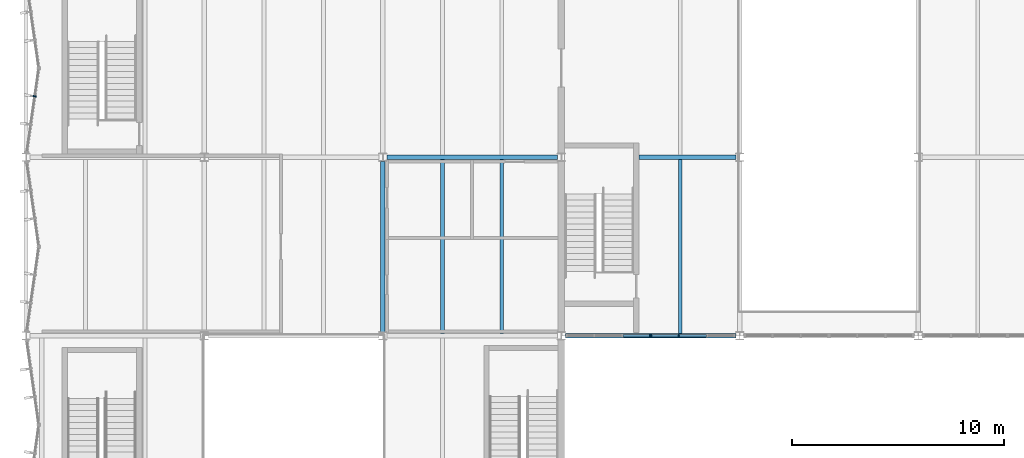
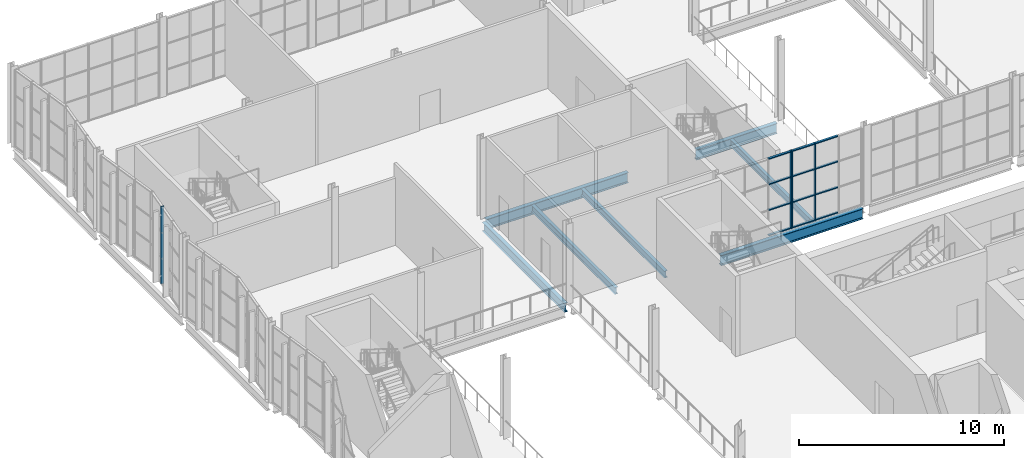
# One storey, part 37 of 127: 16 members, 7 beams, 3 elements without a shape of their own.
"""IFC4 building model written with IfcOpenShell, lengths in metres."""

from ifc_helpers import new_model, si_unit, direction, frame, origin, origin_2d, place, context, subcontext, project, spatial, rectangle, i_section, extrude, material, material_profile, profile_set, type_object, element, aggregate, save


model = new_model("IFC4")

# Units and contexts
model_context = context("Model", 3, precision=1e-05, world=origin(), true_north=direction((0.0, 1.0)))
body_context = subcontext(model_context, "Body", "Model", "MODEL_VIEW")
ifc_project = project(units=[si_unit("LENGTHUNIT", "METRE"), si_unit("AREAUNIT", "SQUARE_METRE"), si_unit("VOLUMEUNIT", "CUBIC_METRE"), si_unit("PLANEANGLEUNIT", "RADIAN"), si_unit("MASSUNIT", "GRAM", prefix="KILO")], contexts=[model_context])

# Site, building, storey
site_placement = place(None, origin())
site = spatial("IfcSite", under=ifc_project, at=site_placement, CompositionType="ELEMENT")
building_placement = place(site_placement, origin())
building = spatial("IfcBuilding", under=site, at=building_placement, Name="Ljudholm Concert House", CompositionType="ELEMENT")
storey_placement = place(building_placement, frame((0.0, 0.0, 5.39990234375)))
storey = spatial("IfcBuildingStorey", under=building, at=storey_placement, Name="L01", CompositionType="ELEMENT", Elevation=5.39990234375)

# Curtain wall, member
ifc_material_1 = material(Name="Aluminium curtain wall with impact-rated laminated glass", Category="aluminium")
curtain_wall_type = type_object("IfcCurtainWallType", Name="CURTAIN WALL 1400", PredefinedType="NOTDEFINED", material=ifc_material_1)
curtain_wall_1_placement = place(storey_placement, origin())
curtain_wall_1 = element("IfcCurtainWall", 1, at=curtain_wall_1_placement, inside=storey, type_object=curtain_wall_type, Name="Facade curtain wall", PredefinedType="NOTDEFINED")
ifc_material_2 = material(Name="Aluminium extrusion", Category="aluminium")
ifc_material_profile_1 = material_profile(ifc_material_2, rectangle(XDim=0.159912109375, YDim=0.06005859375, at=origin_2d()), Name="MULLION 60x160")
ifc_profile_set_1 = profile_set([ifc_material_profile_1], Name="Aluminium extrusion")
member_type_1 = type_object("IfcMemberType", Name="MULLION 60x160", PredefinedType="MULLION", material=ifc_profile_set_1)
member_1_placement = place(storey_placement, frame((4.410400390625, 116.072509765625, 0.0), z_axis=(0.0, 0.0, 1.0), x_axis=(-0.989949493647, 0.141421356338, 0.0)))
member_1 = element("IfcMember", 2, at=member_1_placement, type_object=member_type_1, Name="Mullion", PredefinedType="MULLION", context=body_context, shape_type="SweptSolid", body=[
    extrude(rectangle(XDim=0.159912109375, YDim=0.06005859375, at=origin_2d()), origin(), (0.0, 0.0, 1.0), 4.6201171875),
])
aggregate(curtain_wall_1, [member_1])

curtain_wall_2_placement = place(storey_placement, origin())
curtain_wall_2 = element("IfcCurtainWall", 3, at=curtain_wall_2_placement, inside=storey, type_object=curtain_wall_type, Name="Winter garden curtain wall", PredefinedType="NOTDEFINED")
member_2_placement = place(storey_placement, frame((33.3701171875, 104.800048828125, 0.0), z_axis=(0.0, 0.0, 1.0), x_axis=(0.0, 1.0, 0.0)))
member_2 = element("IfcMember", 4, at=member_2_placement, type_object=member_type_1, Name="Mullion", PredefinedType="MULLION", context=body_context, shape_type="SweptSolid", body=[
    extrude(rectangle(XDim=0.159912109375, YDim=0.06005859375, at=origin_2d()), origin(), (0.0, 0.0, 1.0), 4.6201171875),
])

# Curtain wall, members
curtain_wall_3_placement = place(storey_placement, origin())
curtain_wall_3 = element("IfcCurtainWall", 5, at=curtain_wall_3_placement, inside=storey, type_object=curtain_wall_type, Name="Winter garden curtain wall", PredefinedType="NOTDEFINED")
member_3_placement = place(storey_placement, frame((33.429931640625, 104.800048828125, 0.0), z_axis=(0.0, 0.0, 1.0), x_axis=(0.0, 1.0, 0.0)))
member_3 = element("IfcMember", 6, at=member_3_placement, type_object=member_type_1, Name="Mullion", PredefinedType="MULLION", context=body_context, shape_type="SweptSolid", body=[
    extrude(rectangle(XDim=0.159912109375, YDim=0.06005859375, at=origin_2d()), origin(), (0.0, 0.0, 1.0), 4.6201171875),
])
member_4_placement = place(storey_placement, frame((34.7265625, 104.800048828125, 0.0), z_axis=(0.0, 0.0, 1.0), x_axis=(0.0, 1.0, 0.0)))
member_4 = element("IfcMember", 7, at=member_4_placement, type_object=member_type_1, Name="Mullion", PredefinedType="MULLION", context=body_context, shape_type="SweptSolid", body=[
    extrude(rectangle(XDim=0.159912109375, YDim=0.06005859375, at=origin_2d()), origin(), (0.0, 0.0, 1.0), 4.6201171875),
])

# Beams
ifc_material_3 = material(Name="Steel ASTM A992", Category="steel")
ifc_material_profile_2 = material_profile(ifc_material_3, i_section(OverallWidth=0.177734375, OverallDepth=0.406494140625, WebThickness=0.0078125, FlangeThickness=0.012939453125, FilletRadius=0.01025390625, at=origin_2d()), Name="W16X40")
ifc_profile_set_2 = profile_set([ifc_material_profile_2], Name="Steel ASTM A992")
beam_type_1 = type_object("IfcBeamType", Name="STEEL BEAM W16X40", PredefinedType="BEAM", material=ifc_profile_set_2)
for number, where, z_axis, x_axis, name in (
    (8, (23.60009765625, 104.91455078125, -0.383056640625), (0.0, 1.0, 0.0), (-1.0, 0.0, 0.0), "Secondary beam"),
    (9, (26.39990234375, 104.91455078125, -0.383056640625), (0.0, 1.0, 0.0), (-1.0, 0.0, 0.0), "Secondary beam"),
    (10, (34.800048828125, 104.91455078125, -0.383056640625), (0.0, 1.0, 0.0), (-1.0, 0.0, 0.0), "Secondary beam"),
):
    element("IfcBeam", number, at=place(storey_placement, frame(where, z_axis=z_axis, x_axis=x_axis)), inside=storey, type_object=beam_type_1, Name=name, PredefinedType="BEAM", context=body_context, shape_type="SweptSolid", body=[
        extrude(i_section(OverallWidth=0.177734375, OverallDepth=0.406494140625, WebThickness=0.0078125, FlangeThickness=0.012939453125, FilletRadius=0.01025390625, at=origin_2d()), origin(), (0.0, 0.0, 1.0), 8.1708984375),
    ])
ifc_material_4 = material(Name="Steel ASTM A992", Category="steel")
ifc_material_profile_3 = material_profile(ifc_material_4, i_section(OverallWidth=0.209228515625, OverallDepth=0.533447265625, WebThickness=0.01025390625, FlangeThickness=0.015625, FilletRadius=0.012939453125, at=origin_2d()), Name="W21X62")
ifc_profile_set_3 = profile_set([ifc_material_profile_3], Name="Steel ASTM A992")
beam_type_2 = type_object("IfcBeamType", Name="STEEL BEAM W21X62", PredefinedType="BEAM", material=ifc_profile_set_3)
beam_1_placement = place(storey_placement, frame((20.800048828125, 104.986572265625, -0.446533203125), z_axis=(0.0, 1.0, 0.0), x_axis=(-1.0, 0.0, 0.0)))
element("IfcBeam", 11, at=beam_1_placement, inside=storey, type_object=beam_type_2, Name="Floor edge beam", PredefinedType="BEAM", context=body_context, shape_type="SweptSolid", body=[
    extrude(i_section(OverallWidth=0.209228515625, OverallDepth=0.533447265625, WebThickness=0.01025390625, FlangeThickness=0.015625, FilletRadius=0.012939453125, at=origin_2d()), origin(), (0.0, 0.0, 1.0), 8.02685546875),
])
ifc_material_5 = material(Name="Steel ASTM A992", Category="steel")
ifc_material_profile_4 = material_profile(ifc_material_5, i_section(OverallWidth=0.22900390625, OverallDepth=0.612060546875, WebThickness=0.011962890625, FlangeThickness=0.01953125, FilletRadius=0.0126953125, at=origin_2d()), Name="W24X84")
ifc_profile_set_4 = profile_set([ifc_material_profile_4], Name="Steel ASTM A992")
beam_type_3 = type_object("IfcBeamType", Name="STEEL BEAM W24X84", PredefinedType="BEAM", material=ifc_profile_set_4)
beam_2_placement = place(storey_placement, frame((20.986572265625, 113.199951171875, -0.486083984375), z_axis=(1.0, 0.0, 0.0), x_axis=(0.0, 1.0, 0.0)))
element("IfcBeam", 12, at=beam_2_placement, inside=storey, type_object=beam_type_3, Name="Floor girder", PredefinedType="BEAM", context=body_context, shape_type="SweptSolid", body=[
    extrude(i_section(OverallWidth=0.22900390625, OverallDepth=0.612060546875, WebThickness=0.011962890625, FlangeThickness=0.01953125, FilletRadius=0.0126953125, at=origin_2d()), origin(), (0.0, 0.0, 1.0), 8.02685546875),
])
beam_3_placement = place(storey_placement, frame((29.38671875, 104.800048828125, -0.486083984375), z_axis=(1.0, 0.0, 0.0), x_axis=(0.0, 1.0, 0.0)))
element("IfcBeam", 13, at=beam_3_placement, inside=storey, type_object=beam_type_3, Name="Floor girder", PredefinedType="BEAM", context=body_context, shape_type="SweptSolid", body=[
    extrude(i_section(OverallWidth=0.22900390625, OverallDepth=0.612060546875, WebThickness=0.011962890625, FlangeThickness=0.01953125, FilletRadius=0.0126953125, at=origin_2d()), origin(), (0.0, 0.0, 1.0), 8.026611328125),
])
beam_4_placement = place(storey_placement, frame((32.85009765625, 113.199951171875, -0.486083984375), z_axis=(1.0, 0.0, 0.0), x_axis=(0.0, 1.0, 0.0)))
element("IfcBeam", 14, at=beam_4_placement, inside=storey, type_object=beam_type_3, Name="Floor girder", PredefinedType="BEAM", context=body_context, shape_type="SweptSolid", body=[
    extrude(i_section(OverallWidth=0.22900390625, OverallDepth=0.612060546875, WebThickness=0.011962890625, FlangeThickness=0.01953125, FilletRadius=0.0126953125, at=origin_2d()), origin(), (0.0, 0.0, 1.0), 4.563232421875),
])

# Member
ifc_material_6 = material(Name="Aluminium extrusion", Category="aluminium")
ifc_material_profile_5 = material_profile(ifc_material_6, rectangle(XDim=0.1201171875, YDim=0.06005859375, at=origin_2d()), Name="TRANSOM 60x120")
ifc_profile_set_5 = profile_set([ifc_material_profile_5], Name="Aluminium extrusion")
member_type_2 = type_object("IfcMemberType", Name="TRANSOM 60x120", PredefinedType="USERDEFINED", material=ifc_profile_set_5)
member_5_placement = place(storey_placement, frame((32.103271484375, 104.800048828125, 0.030029296875), z_axis=(1.0, 0.0, 0.0), x_axis=(0.0, 1.0, 0.0)))
member_5 = element("IfcMember", 15, at=member_5_placement, type_object=member_type_2, Name="Transom", ObjectType="TRANSOM", PredefinedType="USERDEFINED", context=body_context, shape_type="SweptSolid", body=[
    extrude(rectangle(XDim=0.1201171875, YDim=0.06005859375, at=origin_2d()), origin(), (0.0, 0.0, 1.0), 1.23681640625),
])

member_6_placement = place(storey_placement, frame((32.103271484375, 104.800048828125, 1.5400390625), z_axis=(1.0, 0.0, 0.0), x_axis=(0.0, 1.0, 0.0)))
member_6 = element("IfcMember", 16, at=member_6_placement, type_object=member_type_2, Name="Transom", ObjectType="TRANSOM", PredefinedType="USERDEFINED", context=body_context, shape_type="SweptSolid", body=[
    extrude(rectangle(XDim=0.1201171875, YDim=0.06005859375, at=origin_2d()), origin(), (0.0, 0.0, 1.0), 1.23681640625),
])

member_7_placement = place(storey_placement, frame((32.103271484375, 104.800048828125, 3.080078125), z_axis=(1.0, 0.0, 0.0), x_axis=(0.0, 1.0, 0.0)))
member_7 = element("IfcMember", 17, at=member_7_placement, type_object=member_type_2, Name="Transom", ObjectType="TRANSOM", PredefinedType="USERDEFINED", context=body_context, shape_type="SweptSolid", body=[
    extrude(rectangle(XDim=0.1201171875, YDim=0.06005859375, at=origin_2d()), origin(), (0.0, 0.0, 1.0), 1.23681640625),
])

member_8_placement = place(storey_placement, frame((32.103271484375, 104.800048828125, 4.590087890625), z_axis=(1.0, 0.0, 0.0), x_axis=(0.0, 1.0, 0.0)))
member_8 = element("IfcMember", 18, at=member_8_placement, type_object=member_type_2, Name="Transom", ObjectType="TRANSOM", PredefinedType="USERDEFINED", context=body_context, shape_type="SweptSolid", body=[
    extrude(rectangle(XDim=0.1201171875, YDim=0.06005859375, at=origin_2d()), origin(), (0.0, 0.0, 1.0), 1.23681640625),
])

aggregate(curtain_wall_2, [member_2, member_5, member_6, member_7, member_8])

member_9_placement = place(storey_placement, frame((33.4599609375, 104.800048828125, 0.030029296875), z_axis=(1.0, 0.0, 0.0), x_axis=(0.0, 1.0, 0.0)))
member_9 = element("IfcMember", 19, at=member_9_placement, type_object=member_type_2, Name="Transom", ObjectType="TRANSOM", PredefinedType="USERDEFINED", context=body_context, shape_type="SweptSolid", body=[
    extrude(rectangle(XDim=0.1201171875, YDim=0.06005859375, at=origin_2d()), origin(), (0.0, 0.0, 1.0), 1.23681640625),
])

member_10_placement = place(storey_placement, frame((33.4599609375, 104.800048828125, 1.5400390625), z_axis=(1.0, 0.0, 0.0), x_axis=(0.0, 1.0, 0.0)))
member_10 = element("IfcMember", 20, at=member_10_placement, type_object=member_type_2, Name="Transom", ObjectType="TRANSOM", PredefinedType="USERDEFINED", context=body_context, shape_type="SweptSolid", body=[
    extrude(rectangle(XDim=0.1201171875, YDim=0.06005859375, at=origin_2d()), origin(), (0.0, 0.0, 1.0), 1.23681640625),
])

member_11_placement = place(storey_placement, frame((33.4599609375, 104.800048828125, 3.080078125), z_axis=(1.0, 0.0, 0.0), x_axis=(0.0, 1.0, 0.0)))
member_11 = element("IfcMember", 21, at=member_11_placement, type_object=member_type_2, Name="Transom", ObjectType="TRANSOM", PredefinedType="USERDEFINED", context=body_context, shape_type="SweptSolid", body=[
    extrude(rectangle(XDim=0.1201171875, YDim=0.06005859375, at=origin_2d()), origin(), (0.0, 0.0, 1.0), 1.23681640625),
])

member_12_placement = place(storey_placement, frame((33.4599609375, 104.800048828125, 4.590087890625), z_axis=(1.0, 0.0, 0.0), x_axis=(0.0, 1.0, 0.0)))
member_12 = element("IfcMember", 22, at=member_12_placement, type_object=member_type_2, Name="Transom", ObjectType="TRANSOM", PredefinedType="USERDEFINED", context=body_context, shape_type="SweptSolid", body=[
    extrude(rectangle(XDim=0.1201171875, YDim=0.06005859375, at=origin_2d()), origin(), (0.0, 0.0, 1.0), 1.23681640625),
])

member_13_placement = place(storey_placement, frame((34.756591796875, 104.800048828125, 0.030029296875), z_axis=(1.0, 0.0, 0.0), x_axis=(0.0, 1.0, 0.0)))
member_13 = element("IfcMember", 23, at=member_13_placement, type_object=member_type_2, Name="Transom", ObjectType="TRANSOM", PredefinedType="USERDEFINED", context=body_context, shape_type="SweptSolid", body=[
    extrude(rectangle(XDim=0.1201171875, YDim=0.06005859375, at=origin_2d()), origin(), (0.0, 0.0, 1.0), 1.266845703125),
])

member_14_placement = place(storey_placement, frame((34.756591796875, 104.800048828125, 1.5400390625), z_axis=(1.0, 0.0, 0.0), x_axis=(0.0, 1.0, 0.0)))
member_14 = element("IfcMember", 24, at=member_14_placement, type_object=member_type_2, Name="Transom", ObjectType="TRANSOM", PredefinedType="USERDEFINED", context=body_context, shape_type="SweptSolid", body=[
    extrude(rectangle(XDim=0.1201171875, YDim=0.06005859375, at=origin_2d()), origin(), (0.0, 0.0, 1.0), 1.266845703125),
])

member_15_placement = place(storey_placement, frame((34.756591796875, 104.800048828125, 3.080078125), z_axis=(1.0, 0.0, 0.0), x_axis=(0.0, 1.0, 0.0)))
member_15 = element("IfcMember", 25, at=member_15_placement, type_object=member_type_2, Name="Transom", ObjectType="TRANSOM", PredefinedType="USERDEFINED", context=body_context, shape_type="SweptSolid", body=[
    extrude(rectangle(XDim=0.1201171875, YDim=0.06005859375, at=origin_2d()), origin(), (0.0, 0.0, 1.0), 1.266845703125),
])

member_16_placement = place(storey_placement, frame((34.756591796875, 104.800048828125, 4.590087890625), z_axis=(1.0, 0.0, 0.0), x_axis=(0.0, 1.0, 0.0)))
member_16 = element("IfcMember", 26, at=member_16_placement, type_object=member_type_2, Name="Transom", ObjectType="TRANSOM", PredefinedType="USERDEFINED", context=body_context, shape_type="SweptSolid", body=[
    extrude(rectangle(XDim=0.1201171875, YDim=0.06005859375, at=origin_2d()), origin(), (0.0, 0.0, 1.0), 1.266845703125),
])

aggregate(curtain_wall_3, [member_3, member_4, member_9, member_10, member_11, member_12, member_13, member_14, member_15, member_16])

save(model, "model.ifc")
